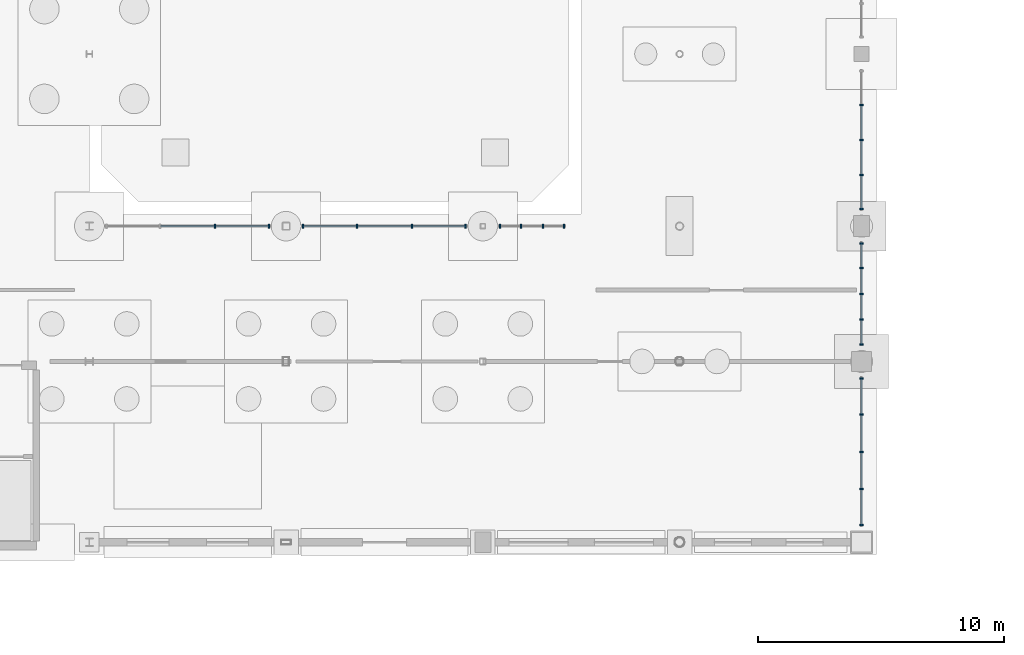
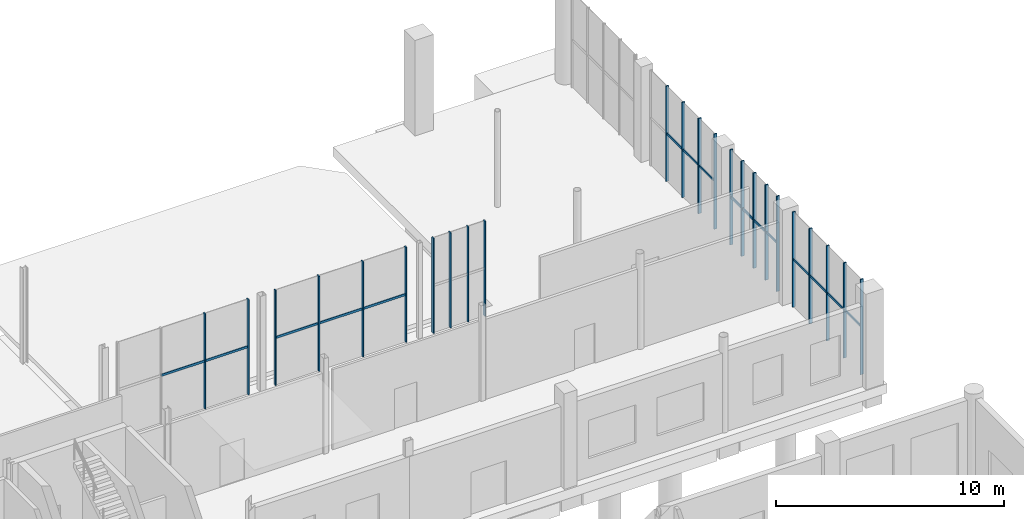
# One storey, part 54 of 87: 40 members, 6 elements without a shape of their own.
"""IFC4 building model written with IfcOpenShell, lengths in metres."""

from ifc_helpers import new_model, si_unit, direction, frame, origin, origin_2d, place, context, subcontext, project, spatial, rectangle, extrude, material, material_profile, profile_set, type_object, element, aggregate, save


model = new_model("IFC4")

# Units and contexts
model_context = context("Model", 3, precision=1e-05, world=origin(), true_north=direction((0.0, 1.0)))
body_context = subcontext(model_context, "Body", "Model", "MODEL_VIEW")
ifc_project = project(units=[si_unit("LENGTHUNIT", "METRE"), si_unit("AREAUNIT", "SQUARE_METRE"), si_unit("VOLUMEUNIT", "CUBIC_METRE"), si_unit("PLANEANGLEUNIT", "RADIAN"), si_unit("MASSUNIT", "GRAM", prefix="KILO")], contexts=[model_context])

# Site, building, storey
site_placement = place(None, origin())
site = spatial("IfcSite", under=ifc_project, at=site_placement, CompositionType="ELEMENT")
building_placement = place(site_placement, origin())
building = spatial("IfcBuilding", under=site, at=building_placement, Name="Brisemont Oceanarium", CompositionType="ELEMENT")
storey_placement = place(building_placement, origin())
storey = spatial("IfcBuildingStorey", under=building, at=storey_placement, Name="L00", CompositionType="ELEMENT", Elevation=0.0)

# Curtain wall, members
ifc_material_1 = material(Name="Anodized Extruded Aluminum 6063-T6", Category="aluminium")
curtain_wall_type_1 = type_object("IfcCurtainWallType", Name="CW-RES-69X43", PredefinedType="NOTDEFINED", material=ifc_material_1)
curtain_wall_1_placement = place(storey_placement, origin())
curtain_wall_1 = element("IfcCurtainWall", 1, at=curtain_wall_1_placement, inside=storey, type_object=curtain_wall_type_1, Name="CW-16 curtain wall CW-V6-E-L00-01", PredefinedType="NOTDEFINED")
ifc_material_2 = material(Name="Anodized Extruded Aluminum 6063-T6", Category="aluminium")
ifc_material_profile_1 = material_profile(ifc_material_2, rectangle(XDim=0.06005859375, YDim=0.14990234375, at=origin_2d()), Name="CWM-60X150")
ifc_profile_set_1 = profile_set([ifc_material_profile_1], Name="Anodized Extruded Aluminum 6063-T6")
member_type_1 = type_object("IfcMemberType", Name="MEM-CWM-60", PredefinedType="MULLION", material=ifc_profile_set_1)
member_1_placement = place(storey_placement, frame((159.39990234375, 81.344970703125, 0.0), z_axis=(0.0, 0.0, 1.0), x_axis=(0.0, 1.0, 0.0)))
member_1 = element("IfcMember", 2, at=member_1_placement, type_object=member_type_1, Name="CW-V6-E-L00-01 mullion 1", PredefinedType="MULLION", context=body_context, shape_type="SweptSolid", body=[
    extrude(rectangle(XDim=0.06005859375, YDim=0.14990234375, at=origin_2d()), origin(), (0.0, 0.0, 1.0), 5.10009765625),
])
member_2_placement = place(storey_placement, frame((159.39990234375, 82.8125, 0.0), z_axis=(0.0, 0.0, 1.0), x_axis=(0.0, 1.0, 0.0)))
member_2 = element("IfcMember", 3, at=member_2_placement, type_object=member_type_1, Name="CW-V6-E-L00-01 mullion 2", PredefinedType="MULLION", context=body_context, shape_type="SweptSolid", body=[
    extrude(rectangle(XDim=0.06005859375, YDim=0.14990234375, at=origin_2d()), origin(), (0.0, 0.0, 1.0), 5.10009765625),
])
member_3_placement = place(storey_placement, frame((159.39990234375, 84.324951171875, 0.0), z_axis=(0.0, 0.0, 1.0), x_axis=(0.0, 1.0, 0.0)))
member_3 = element("IfcMember", 4, at=member_3_placement, type_object=member_type_1, Name="CW-V6-E-L00-01 mullion 3", PredefinedType="MULLION", context=body_context, shape_type="SweptSolid", body=[
    extrude(rectangle(XDim=0.06005859375, YDim=0.14990234375, at=origin_2d()), origin(), (0.0, 0.0, 1.0), 5.10009765625),
])
member_4_placement = place(storey_placement, frame((159.39990234375, 85.83740234375, 0.0), z_axis=(0.0, 0.0, 1.0), x_axis=(0.0, 1.0, 0.0)))
member_4 = element("IfcMember", 5, at=member_4_placement, type_object=member_type_1, Name="CW-V6-E-L00-01 mullion 4", PredefinedType="MULLION", context=body_context, shape_type="SweptSolid", body=[
    extrude(rectangle(XDim=0.06005859375, YDim=0.14990234375, at=origin_2d()), origin(), (0.0, 0.0, 1.0), 5.10009765625),
])
member_5_placement = place(storey_placement, frame((159.39990234375, 87.304931640625, 0.0), z_axis=(0.0, 0.0, 1.0), x_axis=(0.0, 1.0, 0.0)))
member_5 = element("IfcMember", 6, at=member_5_placement, type_object=member_type_1, Name="CW-V6-E-L00-01 mullion 5", PredefinedType="MULLION", context=body_context, shape_type="SweptSolid", body=[
    extrude(rectangle(XDim=0.06005859375, YDim=0.14990234375, at=origin_2d()), origin(), (0.0, 0.0, 1.0), 5.10009765625),
])

curtain_wall_2_placement = place(storey_placement, origin())
curtain_wall_2 = element("IfcCurtainWall", 7, at=curtain_wall_2_placement, inside=storey, type_object=curtain_wall_type_1, Name="CW-16 curtain wall CW-V6-E-L00-02", PredefinedType="NOTDEFINED")
member_6_placement = place(storey_placement, frame((159.39990234375, 88.695068359375, 0.0), z_axis=(0.0, 0.0, 1.0), x_axis=(0.0, 1.0, 0.0)))
member_6 = element("IfcMember", 8, at=member_6_placement, type_object=member_type_1, Name="CW-V6-E-L00-02 mullion 1", PredefinedType="MULLION", context=body_context, shape_type="SweptSolid", body=[
    extrude(rectangle(XDim=0.06005859375, YDim=0.14990234375, at=origin_2d()), origin(), (0.0, 0.0, 1.0), 5.10009765625),
])
member_7_placement = place(storey_placement, frame((159.39990234375, 89.699951171875, 0.0), z_axis=(0.0, 0.0, 1.0), x_axis=(0.0, 1.0, 0.0)))
member_7 = element("IfcMember", 9, at=member_7_placement, type_object=member_type_1, Name="CW-V6-E-L00-02 mullion 2", PredefinedType="MULLION", context=body_context, shape_type="SweptSolid", body=[
    extrude(rectangle(XDim=0.06005859375, YDim=0.14990234375, at=origin_2d()), origin(), (0.0, 0.0, 1.0), 5.10009765625),
])
member_8_placement = place(storey_placement, frame((159.39990234375, 90.75, 0.0), z_axis=(0.0, 0.0, 1.0), x_axis=(0.0, 1.0, 0.0)))
member_8 = element("IfcMember", 10, at=member_8_placement, type_object=member_type_1, Name="CW-V6-E-L00-02 mullion 3", PredefinedType="MULLION", context=body_context, shape_type="SweptSolid", body=[
    extrude(rectangle(XDim=0.06005859375, YDim=0.14990234375, at=origin_2d()), origin(), (0.0, 0.0, 1.0), 5.10009765625),
])
member_9_placement = place(storey_placement, frame((159.39990234375, 91.800048828125, 0.0), z_axis=(0.0, 0.0, 1.0), x_axis=(0.0, 1.0, 0.0)))
member_9 = element("IfcMember", 11, at=member_9_placement, type_object=member_type_1, Name="CW-V6-E-L00-02 mullion 4", PredefinedType="MULLION", context=body_context, shape_type="SweptSolid", body=[
    extrude(rectangle(XDim=0.06005859375, YDim=0.14990234375, at=origin_2d()), origin(), (0.0, 0.0, 1.0), 5.10009765625),
])
member_10_placement = place(storey_placement, frame((159.39990234375, 92.804931640625, 0.0), z_axis=(0.0, 0.0, 1.0), x_axis=(0.0, 1.0, 0.0)))
member_10 = element("IfcMember", 12, at=member_10_placement, type_object=member_type_1, Name="CW-V6-E-L00-02 mullion 5", PredefinedType="MULLION", context=body_context, shape_type="SweptSolid", body=[
    extrude(rectangle(XDim=0.06005859375, YDim=0.14990234375, at=origin_2d()), origin(), (0.0, 0.0, 1.0), 5.10009765625),
])

curtain_wall_3_placement = place(storey_placement, origin())
curtain_wall_3 = element("IfcCurtainWall", 13, at=curtain_wall_3_placement, inside=storey, type_object=curtain_wall_type_1, Name="CW-16 curtain wall CW-V6-E-L00-03", PredefinedType="NOTDEFINED")
member_11_placement = place(storey_placement, frame((159.39990234375, 94.195068359375, 0.0), z_axis=(0.0, 0.0, 1.0), x_axis=(0.0, 1.0, 0.0)))
member_11 = element("IfcMember", 14, at=member_11_placement, type_object=member_type_1, Name="CW-V6-E-L00-03 mullion 1", PredefinedType="MULLION", context=body_context, shape_type="SweptSolid", body=[
    extrude(rectangle(XDim=0.06005859375, YDim=0.14990234375, at=origin_2d()), origin(), (0.0, 0.0, 1.0), 5.10009765625),
])
member_12_placement = place(storey_placement, frame((159.39990234375, 95.574951171875, 0.0), z_axis=(0.0, 0.0, 1.0), x_axis=(0.0, 1.0, 0.0)))
member_12 = element("IfcMember", 15, at=member_12_placement, type_object=member_type_1, Name="CW-V6-E-L00-03 mullion 2", PredefinedType="MULLION", context=body_context, shape_type="SweptSolid", body=[
    extrude(rectangle(XDim=0.06005859375, YDim=0.14990234375, at=origin_2d()), origin(), (0.0, 0.0, 1.0), 5.10009765625),
])
member_13_placement = place(storey_placement, frame((159.39990234375, 97.0, 0.0), z_axis=(0.0, 0.0, 1.0), x_axis=(0.0, 1.0, 0.0)))
member_13 = element("IfcMember", 16, at=member_13_placement, type_object=member_type_1, Name="CW-V6-E-L00-03 mullion 3", PredefinedType="MULLION", context=body_context, shape_type="SweptSolid", body=[
    extrude(rectangle(XDim=0.06005859375, YDim=0.14990234375, at=origin_2d()), origin(), (0.0, 0.0, 1.0), 5.10009765625),
])
member_14_placement = place(storey_placement, frame((159.39990234375, 98.425048828125, 0.0), z_axis=(0.0, 0.0, 1.0), x_axis=(0.0, 1.0, 0.0)))
member_14 = element("IfcMember", 17, at=member_14_placement, type_object=member_type_1, Name="CW-V6-E-L00-03 mullion 4", PredefinedType="MULLION", context=body_context, shape_type="SweptSolid", body=[
    extrude(rectangle(XDim=0.06005859375, YDim=0.14990234375, at=origin_2d()), origin(), (0.0, 0.0, 1.0), 5.10009765625),
])

ifc_material_3 = material(Name="Anodized Extruded Aluminum 6063-T6", Category="aluminium")
curtain_wall_type_2 = type_object("IfcCurtainWallType", Name="CW-RES-52X41", PredefinedType="NOTDEFINED", material=ifc_material_3)
curtain_wall_4_placement = place(storey_placement, origin())
curtain_wall_4 = element("IfcCurtainWall", 18, at=curtain_wall_4_placement, inside=storey, type_object=curtain_wall_type_2, Name="CW-18 curtain wall CW-V6-CL-L00-01", PredefinedType="NOTDEFINED")
member_15_placement = place(storey_placement, frame((133.11669921875, 93.5, 0.0), z_axis=(0.0, 0.0, 1.0), x_axis=(1.0, 0.0, 0.0)))
member_15 = element("IfcMember", 19, at=member_15_placement, type_object=member_type_1, Name="CW-V6-CL-L00-01 mullion 3", PredefinedType="MULLION", context=body_context, shape_type="SweptSolid", body=[
    extrude(rectangle(XDim=0.06005859375, YDim=0.14990234375, at=origin_2d()), origin(), (0.0, 0.0, 1.0), 5.10009765625),
])
member_16_placement = place(storey_placement, frame((135.304931640625, 93.5, 0.0), z_axis=(0.0, 0.0, 1.0), x_axis=(1.0, 0.0, 0.0)))
member_16 = element("IfcMember", 20, at=member_16_placement, type_object=member_type_1, Name="CW-V6-CL-L00-01 mullion 4", PredefinedType="MULLION", context=body_context, shape_type="SweptSolid", body=[
    extrude(rectangle(XDim=0.06005859375, YDim=0.14990234375, at=origin_2d()), origin(), (0.0, 0.0, 1.0), 5.10009765625),
])

curtain_wall_5_placement = place(storey_placement, origin())
curtain_wall_5 = element("IfcCurtainWall", 21, at=curtain_wall_5_placement, inside=storey, type_object=curtain_wall_type_2, Name="CW-18 curtain wall CW-V6-CL-L00-02", PredefinedType="NOTDEFINED")
member_17_placement = place(storey_placement, frame((136.695068359375, 93.5, 0.0), z_axis=(0.0, 0.0, 1.0), x_axis=(1.0, 0.0, 0.0)))
member_17 = element("IfcMember", 22, at=member_17_placement, type_object=member_type_1, Name="CW-V6-CL-L00-02 mullion 1", PredefinedType="MULLION", context=body_context, shape_type="SweptSolid", body=[
    extrude(rectangle(XDim=0.06005859375, YDim=0.14990234375, at=origin_2d()), origin(), (0.0, 0.0, 1.0), 5.10009765625),
])
member_18_placement = place(storey_placement, frame((138.88330078125, 93.5, 0.0), z_axis=(0.0, 0.0, 1.0), x_axis=(1.0, 0.0, 0.0)))
member_18 = element("IfcMember", 23, at=member_18_placement, type_object=member_type_1, Name="CW-V6-CL-L00-02 mullion 2", PredefinedType="MULLION", context=body_context, shape_type="SweptSolid", body=[
    extrude(rectangle(XDim=0.06005859375, YDim=0.14990234375, at=origin_2d()), origin(), (0.0, 0.0, 1.0), 5.10009765625),
])
member_19_placement = place(storey_placement, frame((141.11669921875, 93.5, 0.0), z_axis=(0.0, 0.0, 1.0), x_axis=(1.0, 0.0, 0.0)))
member_19 = element("IfcMember", 24, at=member_19_placement, type_object=member_type_1, Name="CW-V6-CL-L00-02 mullion 3", PredefinedType="MULLION", context=body_context, shape_type="SweptSolid", body=[
    extrude(rectangle(XDim=0.06005859375, YDim=0.14990234375, at=origin_2d()), origin(), (0.0, 0.0, 1.0), 5.10009765625),
])
member_20_placement = place(storey_placement, frame((143.304931640625, 93.5, 0.0), z_axis=(0.0, 0.0, 1.0), x_axis=(1.0, 0.0, 0.0)))
member_20 = element("IfcMember", 25, at=member_20_placement, type_object=member_type_1, Name="CW-V6-CL-L00-02 mullion 4", PredefinedType="MULLION", context=body_context, shape_type="SweptSolid", body=[
    extrude(rectangle(XDim=0.06005859375, YDim=0.14990234375, at=origin_2d()), origin(), (0.0, 0.0, 1.0), 5.10009765625),
])

curtain_wall_6_placement = place(storey_placement, origin())
curtain_wall_6 = element("IfcCurtainWall", 26, at=curtain_wall_6_placement, inside=storey, type_object=curtain_wall_type_2, Name="CW-18 curtain wall CW-V6-CL-L00-03", PredefinedType="NOTDEFINED")
member_21_placement = place(storey_placement, frame((144.695068359375, 93.5, 0.0), z_axis=(0.0, 0.0, 1.0), x_axis=(1.0, 0.0, 0.0)))
member_21 = element("IfcMember", 27, at=member_21_placement, type_object=member_type_1, Name="CW-V6-CL-L00-03 mullion 1", PredefinedType="MULLION", context=body_context, shape_type="SweptSolid", body=[
    extrude(rectangle(XDim=0.06005859375, YDim=0.14990234375, at=origin_2d()), origin(), (0.0, 0.0, 1.0), 5.10009765625),
])
member_22_placement = place(storey_placement, frame((145.550048828125, 93.5, 0.0), z_axis=(0.0, 0.0, 1.0), x_axis=(1.0, 0.0, 0.0)))
member_22 = element("IfcMember", 28, at=member_22_placement, type_object=member_type_1, Name="CW-V6-CL-L00-03 mullion 2", PredefinedType="MULLION", context=body_context, shape_type="SweptSolid", body=[
    extrude(rectangle(XDim=0.06005859375, YDim=0.14990234375, at=origin_2d()), origin(), (0.0, 0.0, 1.0), 5.10009765625),
])
member_23_placement = place(storey_placement, frame((146.449951171875, 93.5, 0.0), z_axis=(0.0, 0.0, 1.0), x_axis=(1.0, 0.0, 0.0)))
member_23 = element("IfcMember", 29, at=member_23_placement, type_object=member_type_1, Name="CW-V6-CL-L00-03 mullion 3", PredefinedType="MULLION", context=body_context, shape_type="SweptSolid", body=[
    extrude(rectangle(XDim=0.06005859375, YDim=0.14990234375, at=origin_2d()), origin(), (0.0, 0.0, 1.0), 5.10009765625),
])
member_24_placement = place(storey_placement, frame((147.304931640625, 93.5, 0.0), z_axis=(0.0, 0.0, 1.0), x_axis=(1.0, 0.0, 0.0)))
member_24 = element("IfcMember", 30, at=member_24_placement, type_object=member_type_1, Name="CW-V6-CL-L00-03 mullion 4", PredefinedType="MULLION", context=body_context, shape_type="SweptSolid", body=[
    extrude(rectangle(XDim=0.06005859375, YDim=0.14990234375, at=origin_2d()), origin(), (0.0, 0.0, 1.0), 5.10009765625),
])
aggregate(curtain_wall_6, [member_21, member_22, member_23, member_24])

# Member
ifc_material_4 = material(Name="Anodized Extruded Aluminum 6063-T6", Category="aluminium")
ifc_material_profile_2 = material_profile(ifc_material_4, rectangle(XDim=0.06005859375, YDim=0.1201171875, at=origin_2d()), Name="CWT-60X120")
ifc_profile_set_2 = profile_set([ifc_material_profile_2], Name="Anodized Extruded Aluminum 6063-T6")
member_type_2 = type_object("IfcMemberType", Name="MEM-CWT-60", PredefinedType="USERDEFINED", material=ifc_profile_set_2)
member_25_placement = place(storey_placement, frame((159.39990234375, 81.31494140625, 2.550048828125), z_axis=(0.0, 1.0, 0.0), x_axis=(-1.0, 0.0, 0.0)))
member_25 = element("IfcMember", 31, at=member_25_placement, type_object=member_type_2, Name="CW-V6-E-L00-01 transom 1.1", ObjectType="TRANSOM", PredefinedType="USERDEFINED", context=body_context, shape_type="SweptSolid", body=[
    extrude(rectangle(XDim=0.06005859375, YDim=0.1201171875, at=origin_2d()), origin(), (0.0, 0.0, 1.0), 1.482666015625),
])

member_26_placement = place(storey_placement, frame((159.39990234375, 82.827392578125, 2.550048828125), z_axis=(0.0, 1.0, 0.0), x_axis=(-1.0, 0.0, 0.0)))
member_26 = element("IfcMember", 32, at=member_26_placement, type_object=member_type_2, Name="CW-V6-E-L00-01 transom 2.1", ObjectType="TRANSOM", PredefinedType="USERDEFINED", context=body_context, shape_type="SweptSolid", body=[
    extrude(rectangle(XDim=0.06005859375, YDim=0.1201171875, at=origin_2d()), origin(), (0.0, 0.0, 1.0), 1.482666015625),
])

member_27_placement = place(storey_placement, frame((159.39990234375, 84.340087890625, 2.550048828125), z_axis=(0.0, 1.0, 0.0), x_axis=(-1.0, 0.0, 0.0)))
member_27 = element("IfcMember", 33, at=member_27_placement, type_object=member_type_2, Name="CW-V6-E-L00-01 transom 3.1", ObjectType="TRANSOM", PredefinedType="USERDEFINED", context=body_context, shape_type="SweptSolid", body=[
    extrude(rectangle(XDim=0.06005859375, YDim=0.1201171875, at=origin_2d()), origin(), (0.0, 0.0, 1.0), 1.482421875),
])

member_28_placement = place(storey_placement, frame((159.39990234375, 85.8525390625, 2.550048828125), z_axis=(0.0, 1.0, 0.0), x_axis=(-1.0, 0.0, 0.0)))
member_28 = element("IfcMember", 34, at=member_28_placement, type_object=member_type_2, Name="CW-V6-E-L00-01 transom 4.1", ObjectType="TRANSOM", PredefinedType="USERDEFINED", context=body_context, shape_type="SweptSolid", body=[
    extrude(rectangle(XDim=0.06005859375, YDim=0.1201171875, at=origin_2d()), origin(), (0.0, 0.0, 1.0), 1.482421875),
])

aggregate(curtain_wall_1, [member_1, member_2, member_3, member_4, member_5, member_25, member_26, member_27, member_28])

member_29_placement = place(storey_placement, frame((159.39990234375, 88.6650390625, 2.550048828125), z_axis=(0.0, 1.0, 0.0), x_axis=(-1.0, 0.0, 0.0)))
member_29 = element("IfcMember", 35, at=member_29_placement, type_object=member_type_2, Name="CW-V6-E-L00-02 transom 1.1", ObjectType="TRANSOM", PredefinedType="USERDEFINED", context=body_context, shape_type="SweptSolid", body=[
    extrude(rectangle(XDim=0.06005859375, YDim=0.1201171875, at=origin_2d()), origin(), (0.0, 0.0, 1.0), 1.02001953125),
])

member_30_placement = place(storey_placement, frame((159.39990234375, 89.715087890625, 2.550048828125), z_axis=(0.0, 1.0, 0.0), x_axis=(-1.0, 0.0, 0.0)))
member_30 = element("IfcMember", 36, at=member_30_placement, type_object=member_type_2, Name="CW-V6-E-L00-02 transom 2.1", ObjectType="TRANSOM", PredefinedType="USERDEFINED", context=body_context, shape_type="SweptSolid", body=[
    extrude(rectangle(XDim=0.06005859375, YDim=0.1201171875, at=origin_2d()), origin(), (0.0, 0.0, 1.0), 1.02001953125),
])

member_31_placement = place(storey_placement, frame((159.39990234375, 90.764892578125, 2.550048828125), z_axis=(0.0, 1.0, 0.0), x_axis=(-1.0, 0.0, 0.0)))
member_31 = element("IfcMember", 37, at=member_31_placement, type_object=member_type_2, Name="CW-V6-E-L00-02 transom 3.1", ObjectType="TRANSOM", PredefinedType="USERDEFINED", context=body_context, shape_type="SweptSolid", body=[
    extrude(rectangle(XDim=0.06005859375, YDim=0.1201171875, at=origin_2d()), origin(), (0.0, 0.0, 1.0), 1.02001953125),
])

member_32_placement = place(storey_placement, frame((159.39990234375, 91.81494140625, 2.550048828125), z_axis=(0.0, 1.0, 0.0), x_axis=(-1.0, 0.0, 0.0)))
member_32 = element("IfcMember", 38, at=member_32_placement, type_object=member_type_2, Name="CW-V6-E-L00-02 transom 4.1", ObjectType="TRANSOM", PredefinedType="USERDEFINED", context=body_context, shape_type="SweptSolid", body=[
    extrude(rectangle(XDim=0.06005859375, YDim=0.1201171875, at=origin_2d()), origin(), (0.0, 0.0, 1.0), 1.02001953125),
])

aggregate(curtain_wall_2, [member_6, member_7, member_8, member_9, member_10, member_29, member_30, member_31, member_32])

member_33_placement = place(storey_placement, frame((159.39990234375, 94.1650390625, 2.550048828125), z_axis=(0.0, 1.0, 0.0), x_axis=(-1.0, 0.0, 0.0)))
member_33 = element("IfcMember", 39, at=member_33_placement, type_object=member_type_2, Name="CW-V6-E-L00-03 transom 1.1", ObjectType="TRANSOM", PredefinedType="USERDEFINED", context=body_context, shape_type="SweptSolid", body=[
    extrude(rectangle(XDim=0.06005859375, YDim=0.1201171875, at=origin_2d()), origin(), (0.0, 0.0, 1.0), 1.39501953125),
])

member_34_placement = place(storey_placement, frame((159.39990234375, 95.590087890625, 2.550048828125), z_axis=(0.0, 1.0, 0.0), x_axis=(-1.0, 0.0, 0.0)))
member_34 = element("IfcMember", 40, at=member_34_placement, type_object=member_type_2, Name="CW-V6-E-L00-03 transom 2.1", ObjectType="TRANSOM", PredefinedType="USERDEFINED", context=body_context, shape_type="SweptSolid", body=[
    extrude(rectangle(XDim=0.06005859375, YDim=0.1201171875, at=origin_2d()), origin(), (0.0, 0.0, 1.0), 1.39501953125),
])

member_35_placement = place(storey_placement, frame((159.39990234375, 97.014892578125, 2.550048828125), z_axis=(0.0, 1.0, 0.0), x_axis=(-1.0, 0.0, 0.0)))
member_35 = element("IfcMember", 41, at=member_35_placement, type_object=member_type_2, Name="CW-V6-E-L00-03 transom 3.1", ObjectType="TRANSOM", PredefinedType="USERDEFINED", context=body_context, shape_type="SweptSolid", body=[
    extrude(rectangle(XDim=0.06005859375, YDim=0.1201171875, at=origin_2d()), origin(), (0.0, 0.0, 1.0), 1.39501953125),
])

aggregate(curtain_wall_3, [member_11, member_12, member_13, member_14, member_33, member_34, member_35])

member_36_placement = place(storey_placement, frame((130.898193359375, 93.5, 2.550048828125), z_axis=(1.0, 0.0, 0.0), x_axis=(0.0, 1.0, 0.0)))
member_36 = element("IfcMember", 42, at=member_36_placement, type_object=member_type_2, Name="CW-V6-CL-L00-01 transom 2.1", ObjectType="TRANSOM", PredefinedType="USERDEFINED", context=body_context, shape_type="SweptSolid", body=[
    extrude(rectangle(XDim=0.06005859375, YDim=0.1201171875, at=origin_2d()), origin(), (0.0, 0.0, 1.0), 2.20361328125),
])

member_37_placement = place(storey_placement, frame((133.131591796875, 93.5, 2.550048828125), z_axis=(1.0, 0.0, 0.0), x_axis=(0.0, 1.0, 0.0)))
member_37 = element("IfcMember", 43, at=member_37_placement, type_object=member_type_2, Name="CW-V6-CL-L00-01 transom 3.1", ObjectType="TRANSOM", PredefinedType="USERDEFINED", context=body_context, shape_type="SweptSolid", body=[
    extrude(rectangle(XDim=0.06005859375, YDim=0.1201171875, at=origin_2d()), origin(), (0.0, 0.0, 1.0), 2.203369140625),
])

aggregate(curtain_wall_4, [member_15, member_16, member_36, member_37])

member_38_placement = place(storey_placement, frame((136.6650390625, 93.5, 2.550048828125), z_axis=(1.0, 0.0, 0.0), x_axis=(0.0, 1.0, 0.0)))
member_38 = element("IfcMember", 44, at=member_38_placement, type_object=member_type_2, Name="CW-V6-CL-L00-02 transom 1.1", ObjectType="TRANSOM", PredefinedType="USERDEFINED", context=body_context, shape_type="SweptSolid", body=[
    extrude(rectangle(XDim=0.06005859375, YDim=0.1201171875, at=origin_2d()), origin(), (0.0, 0.0, 1.0), 2.203369140625),
])

member_39_placement = place(storey_placement, frame((138.898193359375, 93.5, 2.550048828125), z_axis=(1.0, 0.0, 0.0), x_axis=(0.0, 1.0, 0.0)))
member_39 = element("IfcMember", 45, at=member_39_placement, type_object=member_type_2, Name="CW-V6-CL-L00-02 transom 2.1", ObjectType="TRANSOM", PredefinedType="USERDEFINED", context=body_context, shape_type="SweptSolid", body=[
    extrude(rectangle(XDim=0.06005859375, YDim=0.1201171875, at=origin_2d()), origin(), (0.0, 0.0, 1.0), 2.20361328125),
])

member_40_placement = place(storey_placement, frame((141.131591796875, 93.5, 2.550048828125), z_axis=(1.0, 0.0, 0.0), x_axis=(0.0, 1.0, 0.0)))
member_40 = element("IfcMember", 46, at=member_40_placement, type_object=member_type_2, Name="CW-V6-CL-L00-02 transom 3.1", ObjectType="TRANSOM", PredefinedType="USERDEFINED", context=body_context, shape_type="SweptSolid", body=[
    extrude(rectangle(XDim=0.06005859375, YDim=0.1201171875, at=origin_2d()), origin(), (0.0, 0.0, 1.0), 2.203369140625),
])

aggregate(curtain_wall_5, [member_17, member_18, member_19, member_20, member_38, member_39, member_40])

save(model, "model.ifc")
